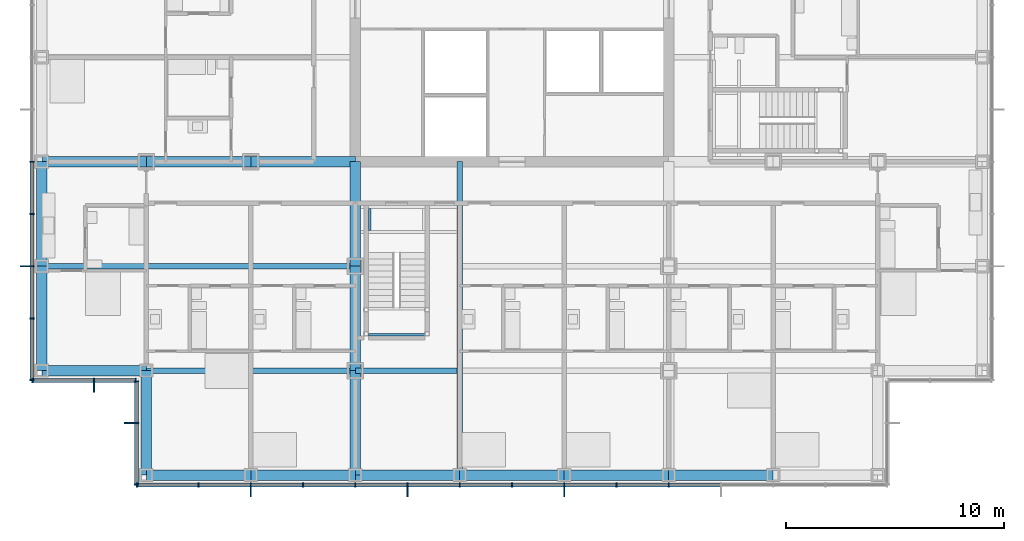
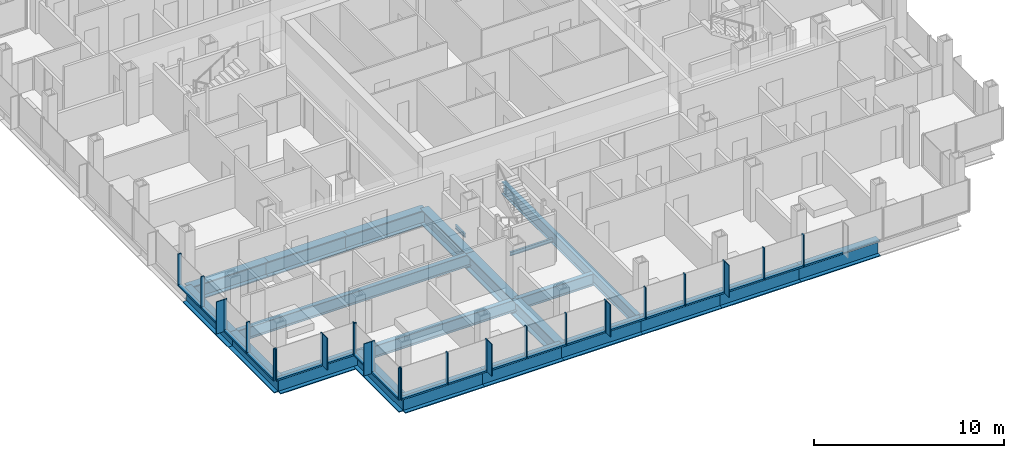
# One storey, part 6 of 22: 47 members, 22 beams, 4 elements without a shape of their own.
"""IFC4 building model written with IfcOpenShell, lengths in metres."""

from ifc_helpers import new_model, si_unit, direction, frame, origin, origin_2d, place, context, subcontext, project, spatial, rectangle, i_section, extrude, material, material_profile, profile_set, type_object, element, aggregate, save


model = new_model("IFC4")

# Units and contexts
model_context = context("Model", 3, precision=1e-05, world=origin(), true_north=direction((0.0, 1.0)))
body_context = subcontext(model_context, "Body", "Model", "MODEL_VIEW")
ifc_project = project(units=[si_unit("LENGTHUNIT", "METRE"), si_unit("AREAUNIT", "SQUARE_METRE"), si_unit("VOLUMEUNIT", "CUBIC_METRE"), si_unit("PLANEANGLEUNIT", "RADIAN"), si_unit("MASSUNIT", "GRAM", prefix="KILO")], contexts=[model_context])

# Site, building, storey
site_placement = place(None, origin())
site = spatial("IfcSite", under=ifc_project, at=site_placement, CompositionType="ELEMENT")
building_placement = place(site_placement, origin())
building = spatial("IfcBuilding", under=site, at=building_placement, Name="Kvirike Care Tower", CompositionType="ELEMENT")
storey_placement = place(building_placement, frame((0.0, 0.0, 76.0)))
storey = spatial("IfcBuildingStorey", under=building, at=storey_placement, Name="L20", CompositionType="ELEMENT", Elevation=76.0)

# Curtain wall, member
ifc_material_1 = material(Name="Anodised aluminium stick system", Category="aluminium")
curtain_wall_type = type_object("IfcCurtainWallType", Name="CW-A STICK CURTAIN WALL", PredefinedType="NOTDEFINED", material=ifc_material_1)
curtain_wall_1_placement = place(storey_placement, origin())
curtain_wall_1 = element("IfcCurtainWall", 1, at=curtain_wall_1_placement, inside=storey, type_object=curtain_wall_type, Name="Curtain wall L20 face 1", PredefinedType="NOTDEFINED")
ifc_material_2 = material(Name="Bronze anodised aluminium fin", Category="aluminium")
ifc_material_profile_1 = material_profile(ifc_material_2, rectangle(XDim=0.050048828125, YDim=0.449951171875, at=origin_2d()), Name="BRONZE FIN 450")
ifc_profile_set_1 = profile_set([ifc_material_profile_1], Name="Bronze anodised aluminium fin")
member_type_1 = type_object("IfcMemberType", Name="BRONZE FIN 450", PredefinedType="USERDEFINED", material=ifc_profile_set_1)
member_1_placement = place(storey_placement, frame((-0.77490234375, 24.0, 0.0), z_axis=(0.0, 0.0, 1.0), x_axis=(0.0, -1.0, 0.0)))
member_1 = element("IfcMember", 2, at=member_1_placement, type_object=member_type_1, Name="Bronze fin L20 face 1.13", ObjectType="FIN", PredefinedType="USERDEFINED", context=body_context, shape_type="SweptSolid", body=[
    extrude(rectangle(XDim=0.050048828125, YDim=0.449951171875, at=origin_2d()), origin(), (0.0, 0.0, 1.0), 2.050048828125),
])

curtain_wall_2_placement = place(storey_placement, origin())
curtain_wall_2 = element("IfcCurtainWall", 3, at=curtain_wall_2_placement, inside=storey, type_object=curtain_wall_type, Name="Curtain wall L20 face 2", PredefinedType="NOTDEFINED")
member_2_placement = place(storey_placement, frame((2.39990234375, 18.425048828125, 0.0), z_axis=(0.0, 0.0, 1.0), x_axis=(1.0, 0.0, 0.0)))
member_2 = element("IfcMember", 4, at=member_2_placement, type_object=member_type_1, Name="Bronze fin L20 face 2.2", ObjectType="FIN", PredefinedType="USERDEFINED", context=body_context, shape_type="SweptSolid", body=[
    extrude(rectangle(XDim=0.050048828125, YDim=0.449951171875, at=origin_2d()), origin(), (0.0, 0.0, 1.0), 2.050048828125),
])

curtain_wall_3_placement = place(storey_placement, origin())
curtain_wall_3 = element("IfcCurtainWall", 5, at=curtain_wall_3_placement, inside=storey, type_object=curtain_wall_type, Name="Curtain wall L20 face 3", PredefinedType="NOTDEFINED")
member_3_placement = place(storey_placement, frame((4.02490234375, 16.800048828125, 0.0), z_axis=(0.0, 0.0, 1.0), x_axis=(0.0, -1.0, 0.0)))
member_3 = element("IfcMember", 6, at=member_3_placement, type_object=member_type_1, Name="Bronze fin L20 face 3.2", ObjectType="FIN", PredefinedType="USERDEFINED", context=body_context, shape_type="SweptSolid", body=[
    extrude(rectangle(XDim=0.050048828125, YDim=0.449951171875, at=origin_2d()), origin(), (0.0, 0.0, 1.0), 2.050048828125),
])

# Curtain wall, members
curtain_wall_4_placement = place(storey_placement, origin())
curtain_wall_4 = element("IfcCurtainWall", 7, at=curtain_wall_4_placement, inside=storey, type_object=curtain_wall_type, Name="Curtain wall L20 face 4", PredefinedType="NOTDEFINED")
member_4_placement = place(storey_placement, frame((9.60009765625, 13.625, 0.0), z_axis=(0.0, 0.0, 1.0), x_axis=(1.0, 0.0, 0.0)))
member_4 = element("IfcMember", 8, at=member_4_placement, type_object=member_type_1, Name="Bronze fin L20 face 4.3", ObjectType="FIN", PredefinedType="USERDEFINED", context=body_context, shape_type="SweptSolid", body=[
    extrude(rectangle(XDim=0.050048828125, YDim=0.449951171875, at=origin_2d()), origin(), (0.0, 0.0, 1.0), 2.050048828125),
])
member_5_placement = place(storey_placement, frame((16.800048828125, 13.625, 0.0), z_axis=(0.0, 0.0, 1.0), x_axis=(1.0, 0.0, 0.0)))
member_5 = element("IfcMember", 9, at=member_5_placement, type_object=member_type_1, Name="Bronze fin L20 face 4.6", ObjectType="FIN", PredefinedType="USERDEFINED", context=body_context, shape_type="SweptSolid", body=[
    extrude(rectangle(XDim=0.050048828125, YDim=0.449951171875, at=origin_2d()), origin(), (0.0, 0.0, 1.0), 2.050048828125),
])
member_6_placement = place(storey_placement, frame((24.0, 13.625, 0.0), z_axis=(0.0, 0.0, 1.0), x_axis=(1.0, 0.0, 0.0)))
member_6 = element("IfcMember", 10, at=member_6_placement, type_object=member_type_1, Name="Bronze fin L20 face 4.9", ObjectType="FIN", PredefinedType="USERDEFINED", context=body_context, shape_type="SweptSolid", body=[
    extrude(rectangle(XDim=0.050048828125, YDim=0.449951171875, at=origin_2d()), origin(), (0.0, 0.0, 1.0), 2.050048828125),
])

# Member
ifc_material_3 = material(Name="Bronze anodised aluminium mullion", Category="aluminium")
ifc_material_profile_2 = material_profile(ifc_material_3, rectangle(XDim=0.06494140625, YDim=0.199951171875, at=origin_2d()), Name="CW-A MULLION 65x200")
ifc_profile_set_2 = profile_set([ifc_material_profile_2], Name="Bronze anodised aluminium mullion")
member_type_2 = type_object("IfcMemberType", Name="CW-A MULLION 65x200", PredefinedType="MULLION", material=ifc_profile_set_2)
member_7_placement = place(storey_placement, frame((-0.449951171875, 28.800048828125, 0.0), z_axis=(0.0, 0.0, 1.0), x_axis=(0.0, -1.0, 0.0)))
member_7 = element("IfcMember", 11, at=member_7_placement, type_object=member_type_2, Name="CW-A mullion L20 face 1.11", PredefinedType="MULLION", context=body_context, shape_type="SweptSolid", body=[
    extrude(rectangle(XDim=0.06494140625, YDim=0.199951171875, at=origin_2d()), origin(), (0.0, 0.0, 1.0), 2.050048828125),
])

member_8_placement = place(storey_placement, frame((-0.449951171875, 26.39990234375, 0.0), z_axis=(0.0, 0.0, 1.0), x_axis=(0.0, -1.0, 0.0)))
member_8 = element("IfcMember", 12, at=member_8_placement, type_object=member_type_2, Name="CW-A mullion L20 face 1.12", PredefinedType="MULLION", context=body_context, shape_type="SweptSolid", body=[
    extrude(rectangle(XDim=0.06494140625, YDim=0.199951171875, at=origin_2d()), origin(), (0.0, 0.0, 1.0), 2.050048828125),
])

member_9_placement = place(storey_placement, frame((-0.449951171875, 24.0, 0.0), z_axis=(0.0, 0.0, 1.0), x_axis=(0.0, -1.0, 0.0)))
member_9 = element("IfcMember", 13, at=member_9_placement, type_object=member_type_2, Name="CW-A mullion L20 face 1.13", PredefinedType="MULLION", context=body_context, shape_type="SweptSolid", body=[
    extrude(rectangle(XDim=0.06494140625, YDim=0.199951171875, at=origin_2d()), origin(), (0.0, 0.0, 1.0), 2.050048828125),
])

member_10_placement = place(storey_placement, frame((-0.449951171875, 21.60009765625, 0.0), z_axis=(0.0, 0.0, 1.0), x_axis=(0.0, -1.0, 0.0)))
member_10 = element("IfcMember", 14, at=member_10_placement, type_object=member_type_2, Name="CW-A mullion L20 face 1.14", PredefinedType="MULLION", context=body_context, shape_type="SweptSolid", body=[
    extrude(rectangle(XDim=0.06494140625, YDim=0.199951171875, at=origin_2d()), origin(), (0.0, 0.0, 1.0), 2.050048828125),
])

member_11_placement = place(storey_placement, frame((-0.449951171875, 18.782470703125, 0.0), z_axis=(0.0, 0.0, 1.0), x_axis=(0.0, -1.0, 0.0)))
member_11 = element("IfcMember", 15, at=member_11_placement, type_object=member_type_2, Name="CW-A mullion L20 face 1.15", PredefinedType="MULLION", context=body_context, shape_type="SweptSolid", body=[
    extrude(rectangle(XDim=0.06494140625, YDim=0.199951171875, at=origin_2d()), origin(), (0.0, 0.0, 1.0), 2.050048828125),
])

member_12_placement = place(storey_placement, frame((-0.41748046875, 18.75, 0.0), z_axis=(0.0, 0.0, 1.0), x_axis=(1.0, 0.0, 0.0)))
member_12 = element("IfcMember", 16, at=member_12_placement, type_object=member_type_2, Name="CW-A mullion L20 face 2.1", PredefinedType="MULLION", context=body_context, shape_type="SweptSolid", body=[
    extrude(rectangle(XDim=0.06494140625, YDim=0.199951171875, at=origin_2d()), origin(), (0.0, 0.0, 1.0), 2.050048828125),
])

member_13_placement = place(storey_placement, frame((2.39990234375, 18.75, 0.0), z_axis=(0.0, 0.0, 1.0), x_axis=(1.0, 0.0, 0.0)))
member_13 = element("IfcMember", 17, at=member_13_placement, type_object=member_type_2, Name="CW-A mullion L20 face 2.2", PredefinedType="MULLION", context=body_context, shape_type="SweptSolid", body=[
    extrude(rectangle(XDim=0.06494140625, YDim=0.199951171875, at=origin_2d()), origin(), (0.0, 0.0, 1.0), 2.050048828125),
])

member_14_placement = place(storey_placement, frame((4.3173828125, 18.75, 0.0), z_axis=(0.0, 0.0, 1.0), x_axis=(1.0, 0.0, 0.0)))
member_14 = element("IfcMember", 18, at=member_14_placement, type_object=member_type_2, Name="CW-A mullion L20 face 2.3", PredefinedType="MULLION", context=body_context, shape_type="SweptSolid", body=[
    extrude(rectangle(XDim=0.06494140625, YDim=0.199951171875, at=origin_2d()), origin(), (0.0, 0.0, 1.0), 2.050048828125),
])

member_15_placement = place(storey_placement, frame((4.35009765625, 18.717529296875, 0.0), z_axis=(0.0, 0.0, 1.0), x_axis=(0.0, -1.0, 0.0)))
member_15 = element("IfcMember", 19, at=member_15_placement, type_object=member_type_2, Name="CW-A mullion L20 face 3.1", PredefinedType="MULLION", context=body_context, shape_type="SweptSolid", body=[
    extrude(rectangle(XDim=0.06494140625, YDim=0.199951171875, at=origin_2d()), origin(), (0.0, 0.0, 1.0), 2.050048828125),
])

member_16_placement = place(storey_placement, frame((4.35009765625, 16.800048828125, 0.0), z_axis=(0.0, 0.0, 1.0), x_axis=(0.0, -1.0, 0.0)))
member_16 = element("IfcMember", 20, at=member_16_placement, type_object=member_type_2, Name="CW-A mullion L20 face 3.2", PredefinedType="MULLION", context=body_context, shape_type="SweptSolid", body=[
    extrude(rectangle(XDim=0.06494140625, YDim=0.199951171875, at=origin_2d()), origin(), (0.0, 0.0, 1.0), 2.050048828125),
])

member_17_placement = place(storey_placement, frame((4.35009765625, 13.982421875, 0.0), z_axis=(0.0, 0.0, 1.0), x_axis=(0.0, -1.0, 0.0)))
member_17 = element("IfcMember", 21, at=member_17_placement, type_object=member_type_2, Name="CW-A mullion L20 face 3.3", PredefinedType="MULLION", context=body_context, shape_type="SweptSolid", body=[
    extrude(rectangle(XDim=0.06494140625, YDim=0.199951171875, at=origin_2d()), origin(), (0.0, 0.0, 1.0), 2.050048828125),
])

member_18_placement = place(storey_placement, frame((4.382568359375, 13.949951171875, 0.0), z_axis=(0.0, 0.0, 1.0), x_axis=(1.0, 0.0, 0.0)))
member_18 = element("IfcMember", 22, at=member_18_placement, type_object=member_type_2, Name="CW-A mullion L20 face 4.1", PredefinedType="MULLION", context=body_context, shape_type="SweptSolid", body=[
    extrude(rectangle(XDim=0.06494140625, YDim=0.199951171875, at=origin_2d()), origin(), (0.0, 0.0, 1.0), 2.050048828125),
])

member_19_placement = place(storey_placement, frame((7.199951171875, 13.949951171875, 0.0), z_axis=(0.0, 0.0, 1.0), x_axis=(1.0, 0.0, 0.0)))
member_19 = element("IfcMember", 23, at=member_19_placement, type_object=member_type_2, Name="CW-A mullion L20 face 4.2", PredefinedType="MULLION", context=body_context, shape_type="SweptSolid", body=[
    extrude(rectangle(XDim=0.06494140625, YDim=0.199951171875, at=origin_2d()), origin(), (0.0, 0.0, 1.0), 2.050048828125),
])

member_20_placement = place(storey_placement, frame((9.60009765625, 13.949951171875, 0.0), z_axis=(0.0, 0.0, 1.0), x_axis=(1.0, 0.0, 0.0)))
member_20 = element("IfcMember", 24, at=member_20_placement, type_object=member_type_2, Name="CW-A mullion L20 face 4.3", PredefinedType="MULLION", context=body_context, shape_type="SweptSolid", body=[
    extrude(rectangle(XDim=0.06494140625, YDim=0.199951171875, at=origin_2d()), origin(), (0.0, 0.0, 1.0), 2.050048828125),
])

member_21_placement = place(storey_placement, frame((12.0, 13.949951171875, 0.0), z_axis=(0.0, 0.0, 1.0), x_axis=(1.0, 0.0, 0.0)))
member_21 = element("IfcMember", 25, at=member_21_placement, type_object=member_type_2, Name="CW-A mullion L20 face 4.4", PredefinedType="MULLION", context=body_context, shape_type="SweptSolid", body=[
    extrude(rectangle(XDim=0.06494140625, YDim=0.199951171875, at=origin_2d()), origin(), (0.0, 0.0, 1.0), 2.050048828125),
])

member_22_placement = place(storey_placement, frame((14.39990234375, 13.949951171875, 0.0), z_axis=(0.0, 0.0, 1.0), x_axis=(1.0, 0.0, 0.0)))
member_22 = element("IfcMember", 26, at=member_22_placement, type_object=member_type_2, Name="CW-A mullion L20 face 4.5", PredefinedType="MULLION", context=body_context, shape_type="SweptSolid", body=[
    extrude(rectangle(XDim=0.06494140625, YDim=0.199951171875, at=origin_2d()), origin(), (0.0, 0.0, 1.0), 2.050048828125),
])

member_23_placement = place(storey_placement, frame((16.800048828125, 13.949951171875, 0.0), z_axis=(0.0, 0.0, 1.0), x_axis=(1.0, 0.0, 0.0)))
member_23 = element("IfcMember", 27, at=member_23_placement, type_object=member_type_2, Name="CW-A mullion L20 face 4.6", PredefinedType="MULLION", context=body_context, shape_type="SweptSolid", body=[
    extrude(rectangle(XDim=0.06494140625, YDim=0.199951171875, at=origin_2d()), origin(), (0.0, 0.0, 1.0), 2.050048828125),
])

member_24_placement = place(storey_placement, frame((19.199951171875, 13.949951171875, 0.0), z_axis=(0.0, 0.0, 1.0), x_axis=(1.0, 0.0, 0.0)))
member_24 = element("IfcMember", 28, at=member_24_placement, type_object=member_type_2, Name="CW-A mullion L20 face 4.7", PredefinedType="MULLION", context=body_context, shape_type="SweptSolid", body=[
    extrude(rectangle(XDim=0.06494140625, YDim=0.199951171875, at=origin_2d()), origin(), (0.0, 0.0, 1.0), 2.050048828125),
])

member_25_placement = place(storey_placement, frame((21.60009765625, 13.949951171875, 0.0), z_axis=(0.0, 0.0, 1.0), x_axis=(1.0, 0.0, 0.0)))
member_25 = element("IfcMember", 29, at=member_25_placement, type_object=member_type_2, Name="CW-A mullion L20 face 4.8", PredefinedType="MULLION", context=body_context, shape_type="SweptSolid", body=[
    extrude(rectangle(XDim=0.06494140625, YDim=0.199951171875, at=origin_2d()), origin(), (0.0, 0.0, 1.0), 2.050048828125),
])

member_26_placement = place(storey_placement, frame((24.0, 13.949951171875, 0.0), z_axis=(0.0, 0.0, 1.0), x_axis=(1.0, 0.0, 0.0)))
member_26 = element("IfcMember", 30, at=member_26_placement, type_object=member_type_2, Name="CW-A mullion L20 face 4.9", PredefinedType="MULLION", context=body_context, shape_type="SweptSolid", body=[
    extrude(rectangle(XDim=0.06494140625, YDim=0.199951171875, at=origin_2d()), origin(), (0.0, 0.0, 1.0), 2.050048828125),
])

member_27_placement = place(storey_placement, frame((26.39990234375, 13.949951171875, 0.0), z_axis=(0.0, 0.0, 1.0), x_axis=(1.0, 0.0, 0.0)))
member_27 = element("IfcMember", 31, at=member_27_placement, type_object=member_type_2, Name="CW-A mullion L20 face 4.10", PredefinedType="MULLION", context=body_context, shape_type="SweptSolid", body=[
    extrude(rectangle(XDim=0.06494140625, YDim=0.199951171875, at=origin_2d()), origin(), (0.0, 0.0, 1.0), 2.050048828125),
])

member_28_placement = place(storey_placement, frame((28.800048828125, 13.949951171875, 0.0), z_axis=(0.0, 0.0, 1.0), x_axis=(1.0, 0.0, 0.0)))
member_28 = element("IfcMember", 32, at=member_28_placement, type_object=member_type_2, Name="CW-A mullion L20 face 4.11", PredefinedType="MULLION", context=body_context, shape_type="SweptSolid", body=[
    extrude(rectangle(XDim=0.06494140625, YDim=0.199951171875, at=origin_2d()), origin(), (0.0, 0.0, 1.0), 2.050048828125),
])

ifc_material_4 = material(Name="Bronze anodised aluminium transom", Category="aluminium")
ifc_material_profile_3 = material_profile(ifc_material_4, rectangle(XDim=0.199951171875, YDim=0.10009765625, at=origin_2d()), Name="CW-A TRANSOM 200x100")
ifc_profile_set_3 = profile_set([ifc_material_profile_3], Name="Bronze anodised aluminium transom")
member_type_3 = type_object("IfcMemberType", Name="CW-A TRANSOM 200x100", PredefinedType="USERDEFINED", material=ifc_profile_set_3)
member_29_placement = place(storey_placement, frame((-0.449951171875, 28.767578125, 0.050048828125), z_axis=(0.0, -1.0, 0.0), x_axis=(1.0, 0.0, 0.0)))
member_29 = element("IfcMember", 33, at=member_29_placement, type_object=member_type_3, Name="CW-A sill transom L20 face 1.11", ObjectType="TRANSOM", PredefinedType="USERDEFINED", context=body_context, shape_type="SweptSolid", body=[
    extrude(rectangle(XDim=0.199951171875, YDim=0.10009765625, at=origin_2d()), origin(), (0.0, 0.0, 1.0), 2.3349609375),
])

member_30_placement = place(storey_placement, frame((-0.449951171875, 26.367431640625, 0.050048828125), z_axis=(0.0, -1.0, 0.0), x_axis=(1.0, 0.0, 0.0)))
member_30 = element("IfcMember", 34, at=member_30_placement, type_object=member_type_3, Name="CW-A sill transom L20 face 1.12", ObjectType="TRANSOM", PredefinedType="USERDEFINED", context=body_context, shape_type="SweptSolid", body=[
    extrude(rectangle(XDim=0.199951171875, YDim=0.10009765625, at=origin_2d()), origin(), (0.0, 0.0, 1.0), 2.3349609375),
])

member_31_placement = place(storey_placement, frame((-0.449951171875, 23.967529296875, 0.050048828125), z_axis=(0.0, -1.0, 0.0), x_axis=(1.0, 0.0, 0.0)))
member_31 = element("IfcMember", 35, at=member_31_placement, type_object=member_type_3, Name="CW-A sill transom L20 face 1.13", ObjectType="TRANSOM", PredefinedType="USERDEFINED", context=body_context, shape_type="SweptSolid", body=[
    extrude(rectangle(XDim=0.199951171875, YDim=0.10009765625, at=origin_2d()), origin(), (0.0, 0.0, 1.0), 2.3349609375),
])

member_32_placement = place(storey_placement, frame((-0.449951171875, 21.5673828125, 0.050048828125), z_axis=(0.0, -1.0, 0.0), x_axis=(1.0, 0.0, 0.0)))
member_32 = element("IfcMember", 36, at=member_32_placement, type_object=member_type_3, Name="CW-A sill transom L20 face 1.14", ObjectType="TRANSOM", PredefinedType="USERDEFINED", context=body_context, shape_type="SweptSolid", body=[
    extrude(rectangle(XDim=0.199951171875, YDim=0.10009765625, at=origin_2d()), origin(), (0.0, 0.0, 1.0), 2.75244140625),
])

aggregate(curtain_wall_1, [member_7, member_8, member_9, member_1, member_10, member_11, member_29, member_30, member_31, member_32])

member_33_placement = place(storey_placement, frame((-0.385009765625, 18.75, 0.050048828125), z_axis=(1.0, 0.0, 0.0), x_axis=(0.0, 1.0, 0.0)))
member_33 = element("IfcMember", 37, at=member_33_placement, type_object=member_type_3, Name="CW-A sill transom L20 face 2.1", ObjectType="TRANSOM", PredefinedType="USERDEFINED", context=body_context, shape_type="SweptSolid", body=[
    extrude(rectangle(XDim=0.199951171875, YDim=0.10009765625, at=origin_2d()), origin(), (0.0, 0.0, 1.0), 2.75244140625),
])

member_34_placement = place(storey_placement, frame((2.4326171875, 18.75, 0.050048828125), z_axis=(1.0, 0.0, 0.0), x_axis=(0.0, 1.0, 0.0)))
member_34 = element("IfcMember", 38, at=member_34_placement, type_object=member_type_3, Name="CW-A sill transom L20 face 2.2", ObjectType="TRANSOM", PredefinedType="USERDEFINED", context=body_context, shape_type="SweptSolid", body=[
    extrude(rectangle(XDim=0.199951171875, YDim=0.10009765625, at=origin_2d()), origin(), (0.0, 0.0, 1.0), 1.852294921875),
])

aggregate(curtain_wall_2, [member_12, member_13, member_2, member_14, member_33, member_34])

member_35_placement = place(storey_placement, frame((4.35009765625, 18.68505859375, 0.050048828125), z_axis=(0.0, -1.0, 0.0), x_axis=(1.0, 0.0, 0.0)))
member_35 = element("IfcMember", 39, at=member_35_placement, type_object=member_type_3, Name="CW-A sill transom L20 face 3.1", ObjectType="TRANSOM", PredefinedType="USERDEFINED", context=body_context, shape_type="SweptSolid", body=[
    extrude(rectangle(XDim=0.199951171875, YDim=0.10009765625, at=origin_2d()), origin(), (0.0, 0.0, 1.0), 1.8525390625),
])

member_36_placement = place(storey_placement, frame((4.35009765625, 16.767578125, 0.050048828125), z_axis=(0.0, -1.0, 0.0), x_axis=(1.0, 0.0, 0.0)))
member_36 = element("IfcMember", 40, at=member_36_placement, type_object=member_type_3, Name="CW-A sill transom L20 face 3.2", ObjectType="TRANSOM", PredefinedType="USERDEFINED", context=body_context, shape_type="SweptSolid", body=[
    extrude(rectangle(XDim=0.199951171875, YDim=0.10009765625, at=origin_2d()), origin(), (0.0, 0.0, 1.0), 2.752685546875),
])

aggregate(curtain_wall_3, [member_15, member_16, member_3, member_17, member_35, member_36])

member_37_placement = place(storey_placement, frame((4.4150390625, 13.949951171875, 0.050048828125), z_axis=(1.0, 0.0, 0.0), x_axis=(0.0, 1.0, 0.0)))
member_37 = element("IfcMember", 41, at=member_37_placement, type_object=member_type_3, Name="CW-A sill transom L20 face 4.1", ObjectType="TRANSOM", PredefinedType="USERDEFINED", context=body_context, shape_type="SweptSolid", body=[
    extrude(rectangle(XDim=0.199951171875, YDim=0.10009765625, at=origin_2d()), origin(), (0.0, 0.0, 1.0), 2.75244140625),
])

member_38_placement = place(storey_placement, frame((7.232421875, 13.949951171875, 0.050048828125), z_axis=(1.0, 0.0, 0.0), x_axis=(0.0, 1.0, 0.0)))
member_38 = element("IfcMember", 42, at=member_38_placement, type_object=member_type_3, Name="CW-A sill transom L20 face 4.2", ObjectType="TRANSOM", PredefinedType="USERDEFINED", context=body_context, shape_type="SweptSolid", body=[
    extrude(rectangle(XDim=0.199951171875, YDim=0.10009765625, at=origin_2d()), origin(), (0.0, 0.0, 1.0), 2.3349609375),
])

member_39_placement = place(storey_placement, frame((9.632568359375, 13.949951171875, 0.050048828125), z_axis=(1.0, 0.0, 0.0), x_axis=(0.0, 1.0, 0.0)))
member_39 = element("IfcMember", 43, at=member_39_placement, type_object=member_type_3, Name="CW-A sill transom L20 face 4.3", ObjectType="TRANSOM", PredefinedType="USERDEFINED", context=body_context, shape_type="SweptSolid", body=[
    extrude(rectangle(XDim=0.199951171875, YDim=0.10009765625, at=origin_2d()), origin(), (0.0, 0.0, 1.0), 2.3349609375),
])

member_40_placement = place(storey_placement, frame((12.032470703125, 13.949951171875, 0.050048828125), z_axis=(1.0, 0.0, 0.0), x_axis=(0.0, 1.0, 0.0)))
member_40 = element("IfcMember", 44, at=member_40_placement, type_object=member_type_3, Name="CW-A sill transom L20 face 4.4", ObjectType="TRANSOM", PredefinedType="USERDEFINED", context=body_context, shape_type="SweptSolid", body=[
    extrude(rectangle(XDim=0.199951171875, YDim=0.10009765625, at=origin_2d()), origin(), (0.0, 0.0, 1.0), 2.3349609375),
])

member_41_placement = place(storey_placement, frame((14.4326171875, 13.949951171875, 0.050048828125), z_axis=(1.0, 0.0, 0.0), x_axis=(0.0, 1.0, 0.0)))
member_41 = element("IfcMember", 45, at=member_41_placement, type_object=member_type_3, Name="CW-A sill transom L20 face 4.5", ObjectType="TRANSOM", PredefinedType="USERDEFINED", context=body_context, shape_type="SweptSolid", body=[
    extrude(rectangle(XDim=0.199951171875, YDim=0.10009765625, at=origin_2d()), origin(), (0.0, 0.0, 1.0), 2.3349609375),
])

member_42_placement = place(storey_placement, frame((16.83251953125, 13.949951171875, 0.050048828125), z_axis=(1.0, 0.0, 0.0), x_axis=(0.0, 1.0, 0.0)))
member_42 = element("IfcMember", 46, at=member_42_placement, type_object=member_type_3, Name="CW-A sill transom L20 face 4.6", ObjectType="TRANSOM", PredefinedType="USERDEFINED", context=body_context, shape_type="SweptSolid", body=[
    extrude(rectangle(XDim=0.199951171875, YDim=0.10009765625, at=origin_2d()), origin(), (0.0, 0.0, 1.0), 2.3349609375),
])

member_43_placement = place(storey_placement, frame((19.232421875, 13.949951171875, 0.050048828125), z_axis=(1.0, 0.0, 0.0), x_axis=(0.0, 1.0, 0.0)))
member_43 = element("IfcMember", 47, at=member_43_placement, type_object=member_type_3, Name="CW-A sill transom L20 face 4.7", ObjectType="TRANSOM", PredefinedType="USERDEFINED", context=body_context, shape_type="SweptSolid", body=[
    extrude(rectangle(XDim=0.199951171875, YDim=0.10009765625, at=origin_2d()), origin(), (0.0, 0.0, 1.0), 2.3349609375),
])

member_44_placement = place(storey_placement, frame((21.632568359375, 13.949951171875, 0.050048828125), z_axis=(1.0, 0.0, 0.0), x_axis=(0.0, 1.0, 0.0)))
member_44 = element("IfcMember", 48, at=member_44_placement, type_object=member_type_3, Name="CW-A sill transom L20 face 4.8", ObjectType="TRANSOM", PredefinedType="USERDEFINED", context=body_context, shape_type="SweptSolid", body=[
    extrude(rectangle(XDim=0.199951171875, YDim=0.10009765625, at=origin_2d()), origin(), (0.0, 0.0, 1.0), 2.3349609375),
])

member_45_placement = place(storey_placement, frame((24.032470703125, 13.949951171875, 0.050048828125), z_axis=(1.0, 0.0, 0.0), x_axis=(0.0, 1.0, 0.0)))
member_45 = element("IfcMember", 49, at=member_45_placement, type_object=member_type_3, Name="CW-A sill transom L20 face 4.9", ObjectType="TRANSOM", PredefinedType="USERDEFINED", context=body_context, shape_type="SweptSolid", body=[
    extrude(rectangle(XDim=0.199951171875, YDim=0.10009765625, at=origin_2d()), origin(), (0.0, 0.0, 1.0), 2.3349609375),
])

member_46_placement = place(storey_placement, frame((26.4326171875, 13.949951171875, 0.050048828125), z_axis=(1.0, 0.0, 0.0), x_axis=(0.0, 1.0, 0.0)))
member_46 = element("IfcMember", 50, at=member_46_placement, type_object=member_type_3, Name="CW-A sill transom L20 face 4.10", ObjectType="TRANSOM", PredefinedType="USERDEFINED", context=body_context, shape_type="SweptSolid", body=[
    extrude(rectangle(XDim=0.199951171875, YDim=0.10009765625, at=origin_2d()), origin(), (0.0, 0.0, 1.0), 2.3349609375),
])

member_47_placement = place(storey_placement, frame((28.83251953125, 13.949951171875, 0.050048828125), z_axis=(1.0, 0.0, 0.0), x_axis=(0.0, 1.0, 0.0)))
member_47 = element("IfcMember", 51, at=member_47_placement, type_object=member_type_3, Name="CW-A sill transom L20 face 4.11", ObjectType="TRANSOM", PredefinedType="USERDEFINED", context=body_context, shape_type="SweptSolid", body=[
    extrude(rectangle(XDim=0.199951171875, YDim=0.10009765625, at=origin_2d()), origin(), (0.0, 0.0, 1.0), 2.3349609375),
])

aggregate(curtain_wall_4, [member_18, member_19, member_20, member_4, member_21, member_22, member_23, member_5, member_24, member_25, member_26, member_6, member_27, member_28, member_37, member_38, member_39, member_40, member_41, member_42, member_43, member_44, member_45, member_46, member_47])

# Beams
ifc_material_5 = material(Name="Steel S355", Category="steel")
ifc_material_profile_4 = material_profile(ifc_material_5, i_section(OverallWidth=0.26806640625, OverallDepth=0.77001953125, WebThickness=0.015625, FlangeThickness=0.025390625, FilletRadius=0.01708984375, at=origin_2d()), Name="IPE 750x196")
ifc_profile_set_4 = profile_set([ifc_material_profile_4], Name="Steel S355")
beam_type_1 = type_object("IfcBeamType", Name="FLOOR BEAM IPE 750x196", PredefinedType="BEAM", material=ifc_profile_set_4)
beam_1_placement = place(storey_placement, frame((4.800048828125, 19.199951171875, -0.554931640625), z_axis=(1.0, 0.0, 0.0), x_axis=(0.0, 1.0, 0.0)))
element("IfcBeam", 52, at=beam_1_placement, inside=storey, type_object=beam_type_1, Name="Floor Beam E4-E6 L20", PredefinedType="BEAM", context=body_context, shape_type="SweptSolid", body=[
    extrude(i_section(OverallWidth=0.26806640625, OverallDepth=0.77001953125, WebThickness=0.015625, FlangeThickness=0.025390625, FilletRadius=0.01708984375, at=origin_2d()), origin(), (0.0, 0.0, 1.0), 9.599853515625),
])
beam_2_placement = place(storey_placement, frame((14.39990234375, 19.199951171875, -0.554931640625), z_axis=(1.0, 0.0, 0.0), x_axis=(0.0, 1.0, 0.0)))
element("IfcBeam", 53, at=beam_2_placement, inside=storey, type_object=beam_type_1, Name="Floor Beam E6-E7 L20", PredefinedType="BEAM", context=body_context, shape_type="SweptSolid", body=[
    extrude(i_section(OverallWidth=0.26806640625, OverallDepth=0.77001953125, WebThickness=0.015625, FlangeThickness=0.025390625, FilletRadius=0.01708984375, at=origin_2d()), origin(), (0.0, 0.0, 1.0), 4.666015625),
])
beam_3_placement = place(storey_placement, frame((0.0, 24.0, -0.554931640625), z_axis=(1.0, 0.0, 0.0), x_axis=(0.0, 1.0, 0.0)))
element("IfcBeam", 54, at=beam_3_placement, inside=storey, type_object=beam_type_1, Name="Floor Beam F3-F6 L20", PredefinedType="BEAM", context=body_context, shape_type="SweptSolid", body=[
    extrude(i_section(OverallWidth=0.26806640625, OverallDepth=0.77001953125, WebThickness=0.015625, FlangeThickness=0.025390625, FilletRadius=0.01708984375, at=origin_2d()), origin(), (0.0, 0.0, 1.0), 14.39990234375),
])
beam_4_placement = place(storey_placement, frame((19.199951171875, 14.39990234375, -0.554931640625), z_axis=(0.0, 1.0, 0.0), x_axis=(-1.0, 0.0, 0.0)))
element("IfcBeam", 55, at=beam_4_placement, inside=storey, type_object=beam_type_1, Name="Floor Beam D7-G7 L20", PredefinedType="BEAM", context=body_context, shape_type="SweptSolid", body=[
    extrude(i_section(OverallWidth=0.26806640625, OverallDepth=0.77001953125, WebThickness=0.015625, FlangeThickness=0.025390625, FilletRadius=0.01708984375, at=origin_2d()), origin(), (0.0, 0.0, 1.0), 14.400146484375),
])
ifc_material_6 = material(Name="Steel S355", Category="steel")
ifc_material_profile_5 = material_profile(ifc_material_6, i_section(OverallWidth=0.5, OverallDepth=1.0, WebThickness=0.030029296875, FlangeThickness=0.06005859375, at=origin_2d()), Name="PG 1000x500x30x60")
ifc_profile_set_5 = profile_set([ifc_material_profile_5], Name="Steel S355")
beam_type_2 = type_object("IfcBeamType", Name="FRAME BEAM PG 1000x500x30x60", PredefinedType="BEAM", material=ifc_profile_set_5)
for number, where, z_axis, x_axis, name in (
    (56, (0.0, 28.800048828125, -0.669921875), (1.0, 0.0, 0.0), (0.0, 1.0, 0.0), "Frame Beam G3-G4 L20"),
    (57, (4.800048828125, 28.800048828125, -0.669921875), (1.0, 0.0, 0.0), (0.0, 1.0, 0.0), "Frame Beam G4-G5 L20"),
):
    element("IfcBeam", number, at=place(storey_placement, frame(where, z_axis=z_axis, x_axis=x_axis)), inside=storey, type_object=beam_type_2, Name=name, PredefinedType="BEAM", context=body_context, shape_type="SweptSolid", body=[
        extrude(i_section(OverallWidth=0.5, OverallDepth=1.0, WebThickness=0.030029296875, FlangeThickness=0.06005859375, at=origin_2d()), origin(), (0.0, 0.0, 1.0), 4.800048828125),
    ])
beam_5_placement = place(storey_placement, frame((9.60009765625, 28.800048828125, -0.669921875), z_axis=(1.0, 0.0, 0.0), x_axis=(0.0, 1.0, 0.0)))
element("IfcBeam", 58, at=beam_5_placement, inside=storey, type_object=beam_type_2, Name="Frame Beam G5-G6 L20", PredefinedType="BEAM", context=body_context, shape_type="SweptSolid", body=[
    extrude(i_section(OverallWidth=0.5, OverallDepth=1.0, WebThickness=0.030029296875, FlangeThickness=0.06005859375, at=origin_2d()), origin(), (0.0, 0.0, 1.0), 4.7998046875),
])
for number, where, z_axis, x_axis, name in (
    (59, (14.39990234375, 14.39990234375, -0.669921875), (0.0, 1.0, 0.0), (-1.0, 0.0, 0.0), "Frame Beam D6-E6 L20"),
    (60, (14.39990234375, 19.199951171875, -0.669921875), (0.0, 1.0, 0.0), (-1.0, 0.0, 0.0), "Frame Beam E6-F6 L20"),
    (61, (14.39990234375, 24.0, -0.669921875), (0.0, 1.0, 0.0), (-1.0, 0.0, 0.0), "Frame Beam F6-G6 L20"),
):
    element("IfcBeam", number, at=place(storey_placement, frame(where, z_axis=z_axis, x_axis=x_axis)), inside=storey, type_object=beam_type_2, Name=name, PredefinedType="BEAM", context=body_context, shape_type="SweptSolid", body=[
        extrude(i_section(OverallWidth=0.5, OverallDepth=1.0, WebThickness=0.030029296875, FlangeThickness=0.06005859375, at=origin_2d()), origin(), (0.0, 0.0, 1.0), 4.800048828125),
    ])
ifc_material_7 = material(Name="Steel S355", Category="steel")
ifc_material_profile_6 = material_profile(ifc_material_7, i_section(OverallWidth=0.5, OverallDepth=1.0, WebThickness=0.030029296875, FlangeThickness=0.06005859375, at=origin_2d()), Name="PG 1000x500x30x60")
ifc_profile_set_6 = profile_set([ifc_material_profile_6], Name="Steel S355")
beam_type_3 = type_object("IfcBeamType", Name="SPANDREL PG 1000x500x30x60", PredefinedType="SPANDREL", material=ifc_profile_set_6)
beam_6_placement = place(storey_placement, frame((4.800048828125, 14.39990234375, -0.669921875), z_axis=(1.0, 0.0, 0.0), x_axis=(0.0, 1.0, 0.0)))
element("IfcBeam", 62, at=beam_6_placement, inside=storey, type_object=beam_type_3, Name="Spandrel D4-D5 L20", PredefinedType="SPANDREL", context=body_context, shape_type="SweptSolid", body=[
    extrude(i_section(OverallWidth=0.5, OverallDepth=1.0, WebThickness=0.030029296875, FlangeThickness=0.06005859375, at=origin_2d()), origin(), (0.0, 0.0, 1.0), 4.800048828125),
])
beam_7_placement = place(storey_placement, frame((9.60009765625, 14.39990234375, -0.669921875), z_axis=(1.0, 0.0, 0.0), x_axis=(0.0, 1.0, 0.0)))
element("IfcBeam", 63, at=beam_7_placement, inside=storey, type_object=beam_type_3, Name="Spandrel D5-D6 L20", PredefinedType="SPANDREL", context=body_context, shape_type="SweptSolid", body=[
    extrude(i_section(OverallWidth=0.5, OverallDepth=1.0, WebThickness=0.030029296875, FlangeThickness=0.06005859375, at=origin_2d()), origin(), (0.0, 0.0, 1.0), 4.7998046875),
])
for number, where, z_axis, x_axis, name in (
    (64, (14.39990234375, 14.39990234375, -0.669921875), (1.0, 0.0, 0.0), (0.0, 1.0, 0.0), "Spandrel D6-D7 L20"),
    (65, (19.199951171875, 14.39990234375, -0.669921875), (1.0, 0.0, 0.0), (0.0, 1.0, 0.0), "Spandrel D7-D8 L20"),
    (66, (24.0, 14.39990234375, -0.669921875), (1.0, 0.0, 0.0), (0.0, 1.0, 0.0), "Spandrel D8-D9 L20"),
    (67, (28.800048828125, 14.39990234375, -0.669921875), (1.0, 0.0, 0.0), (0.0, 1.0, 0.0), "Spandrel D9-D10 L20"),
    (68, (0.0, 19.199951171875, -0.669921875), (1.0, 0.0, 0.0), (0.0, 1.0, 0.0), "Spandrel E3-E4 L20"),
    (69, (0.0, 19.199951171875, -0.669921875), (0.0, 1.0, 0.0), (-1.0, 0.0, 0.0), "Spandrel E3-F3 L20"),
    (70, (0.0, 24.0, -0.669921875), (0.0, 1.0, 0.0), (-1.0, 0.0, 0.0), "Spandrel F3-G3 L20"),
    (71, (4.800048828125, 14.39990234375, -0.669921875), (0.0, 1.0, 0.0), (-1.0, 0.0, 0.0), "Spandrel D4-E4 L20"),
):
    element("IfcBeam", number, at=place(storey_placement, frame(where, z_axis=z_axis, x_axis=x_axis)), inside=storey, type_object=beam_type_3, Name=name, PredefinedType="SPANDREL", context=body_context, shape_type="SweptSolid", body=[
        extrude(i_section(OverallWidth=0.5, OverallDepth=1.0, WebThickness=0.030029296875, FlangeThickness=0.06005859375, at=origin_2d()), origin(), (0.0, 0.0, 1.0), 4.800048828125),
    ])
ifc_material_8 = material(Name="Steel S355", Category="steel")
ifc_material_profile_7 = material_profile(ifc_material_8, i_section(OverallWidth=0.1201171875, OverallDepth=0.239990234375, WebThickness=0.006103515625, FlangeThickness=0.009765625, FilletRadius=0.014892578125, at=origin_2d()), Name="IPE 240")
ifc_profile_set_7 = profile_set([ifc_material_profile_7], Name="Steel S355")
beam_type_4 = type_object("IfcBeamType", Name="STAIR LANDING BEAM IPE 240", PredefinedType="BEAM", material=ifc_profile_set_7)
beam_8_placement = place(storey_placement, frame((15.0, 20.860107421875, 1.429931640625), z_axis=(1.0, 0.0, 0.0), x_axis=(0.0, 1.0, 0.0)))
element("IfcBeam", 72, at=beam_8_placement, inside=storey, type_object=beam_type_4, Name="Stair 5 landing beam back L20", PredefinedType="BEAM", context=body_context, shape_type="SweptSolid", body=[
    extrude(i_section(OverallWidth=0.1201171875, OverallDepth=0.239990234375, WebThickness=0.006103515625, FlangeThickness=0.009765625, FilletRadius=0.014892578125, at=origin_2d()), origin(), (0.0, 0.0, 1.0), 2.60009765625),
])
beam_9_placement = place(storey_placement, frame((15.06005859375, 25.64990234375, -0.320068359375), z_axis=(0.0, 1.0, 0.0), x_axis=(-1.0, 0.0, 0.0)))
element("IfcBeam", 73, at=beam_9_placement, inside=storey, type_object=beam_type_4, Name="Stair 5 landing edge beam 1 L20", PredefinedType="BEAM", context=body_context, shape_type="SweptSolid", body=[
    extrude(i_section(OverallWidth=0.1201171875, OverallDepth=0.239990234375, WebThickness=0.006103515625, FlangeThickness=0.009765625, FilletRadius=0.014892578125, at=origin_2d()), origin(), (0.0, 0.0, 1.0), 1.0),
])

save(model, "model.ifc")
